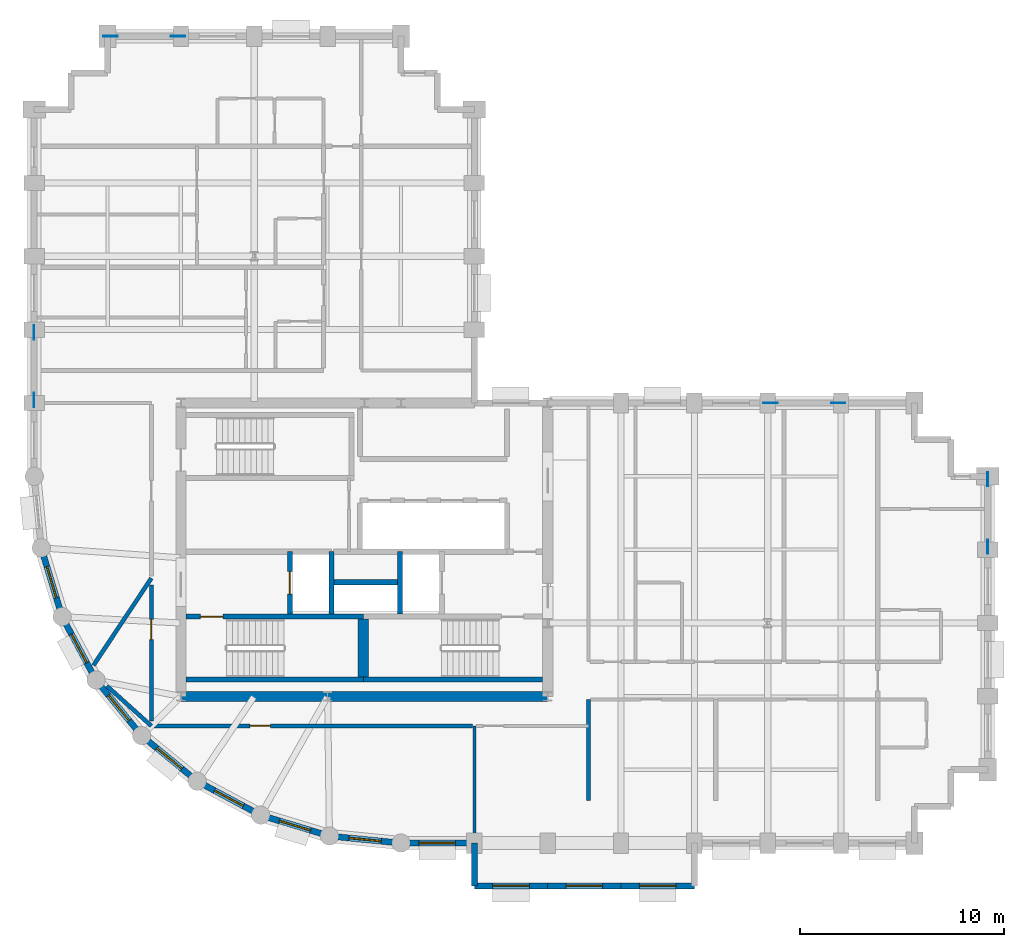
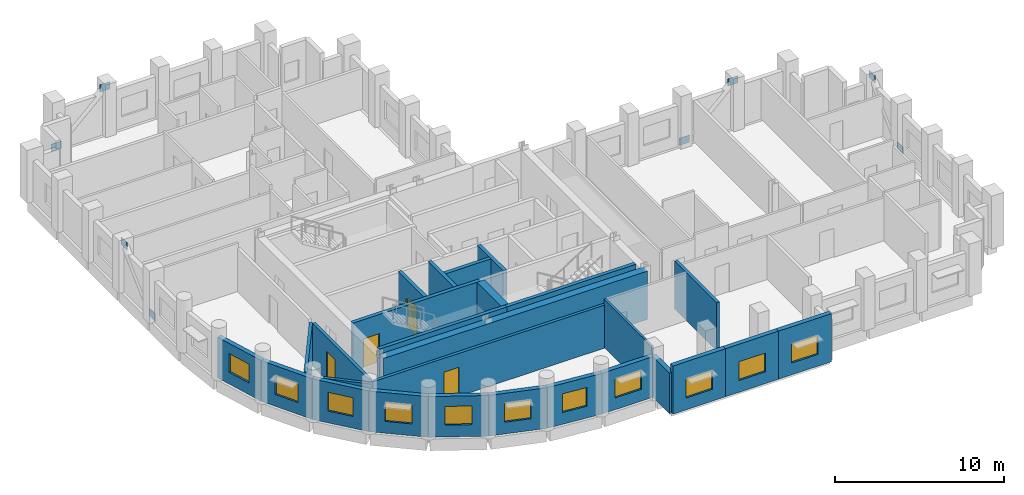
# One storey, part 3 of 11: 27 walls, 11 windows, 8 plates, 4 doors, 15 openings.
"""IFC4 building model written with IfcOpenShell, lengths in metres."""

import ifcopenshell
import ifcopenshell.guid

model = None  # the IFC model being written
_history = None  # IfcOwnerHistory: only IFC2X3 demands one
_inside = {}  # id of a spatial element -> (the spatial element, [elements in it])
_under = {}  # id of a project, library or spatial element -> (it, [spatial elements below it])
_declared = {}  # id of a project -> (the project, [libraries it declares])
_typed = {}  # id of a type object -> (the type object, [elements of that type])
_made_of = {}  # id of a material, layer set ... -> (it, [elements and type objects made of it])


def new_model(schema):
    """Start an empty IFC model of exactly this schema.

    Asked for "IFC4X3", IfcOpenShell would pick the latest addendum, in which some entities
    have other attributes; the version numbers below select the first issue.
    IFC2X3 requires an IfcOwnerHistory on every rooted entity: one is made here for all.
    """
    global model, _history
    if schema == "IFC4X3":
        model = ifcopenshell.file(schema_version=(4, 3, 0, 0))
    else:
        model = ifcopenshell.file(schema=schema)
    _inside.clear()
    _under.clear()
    _declared.clear()
    _typed.clear()
    _made_of.clear()
    _history = None
    if model.schema == "IFC2X3":
        org = make("IfcOrganization", Name="unknown")
        user = make(
            "IfcPersonAndOrganization",
            ThePerson=make("IfcPerson", FamilyName="unknown"),
            TheOrganization=org,
        )
        app = make(
            "IfcApplication",
            ApplicationDeveloper=org,
            Version="unknown",
            ApplicationFullName="unknown",
            ApplicationIdentifier="unknown",
        )
        _history = make(
            "IfcOwnerHistory",
            OwningUser=user,
            OwningApplication=app,
            ChangeAction="ADDED",
            CreationDate=0,
        )
    return model


def make(cls, **values):
    """One entity of the class cls with the attributes given. An attribute that is None is left unset."""
    return model.create_entity(
        cls, **{name: value for name, value in values.items() if value is not None}
    )


def rooted(cls, **values):
    """An entity with a GlobalId (a new one), such as an element, a storey or a relation."""
    return make(cls, GlobalId=ifcopenshell.guid.new(), OwnerHistory=_history, **values)


def si_unit(unit_type, name, prefix=None):
    """IfcSIUnit, for example si_unit("LENGTHUNIT", "METRE", prefix="MILLI")."""
    return make("IfcSIUnit", UnitType=unit_type, Prefix=prefix, Name=name)


def assignment(units):
    """IfcUnitAssignment: the units of a project."""
    return None if units is None else make("IfcUnitAssignment", Units=units)


def point(xyz):
    """IfcCartesianPoint."""
    return None if xyz is None else make("IfcCartesianPoint", Coordinates=xyz)


def direction(xyz):
    """IfcDirection."""
    return None if xyz is None else make("IfcDirection", DirectionRatios=xyz)


def frame(location, z_axis=None, x_axis=None):
    """IfcAxis2Placement3D, a coordinate frame: its origin and axes. An axis left out is left unset."""
    return make(
        "IfcAxis2Placement3D",
        Location=point(location),
        Axis=direction(z_axis),
        RefDirection=direction(x_axis),
    )


def frame_2d(location, x_axis=None):
    """IfcAxis2Placement2D, a coordinate frame in the plane: its origin and x axis."""
    return make(
        "IfcAxis2Placement2D", Location=point(location), RefDirection=direction(x_axis)
    )


def origin():
    """The frame at (0, 0, 0) with its axes left unset."""
    return frame((0.0, 0.0, 0.0))


def origin_2d():
    """The frame at (0, 0) in the plane with its x axis left unset."""
    return frame_2d((0.0, 0.0))


def place(relative_to, where):
    """IfcLocalPlacement: puts the frame where relative to a parent placement (None: the world)."""
    return make(
        "IfcLocalPlacement", PlacementRelTo=relative_to, RelativePlacement=where
    )


def context(
    kind, dimensions, precision=None, world=None, true_north=None, identifier=None
):
    """IfcGeometricRepresentationContext, for example the 3D "Model" context."""
    return make(
        "IfcGeometricRepresentationContext",
        ContextIdentifier=identifier,
        ContextType=kind,
        CoordinateSpaceDimension=dimensions,
        Precision=precision,
        WorldCoordinateSystem=world,
        TrueNorth=true_north,
    )


def subcontext(parent, identifier, kind, view, scale=None):
    """IfcGeometricRepresentationSubContext, for example "Body" below "Model"."""
    return make(
        "IfcGeometricRepresentationSubContext",
        ContextIdentifier=identifier,
        ContextType=kind,
        ParentContext=parent,
        TargetScale=scale,
        TargetView=view,
    )


def project(units=None, contexts=None):
    """IfcProject with its units and contexts."""
    return rooted(
        "IfcProject",
        Name="project",
        RepresentationContexts=contexts,
        UnitsInContext=assignment(units),
    )


def spatial(cls, under=None, at=None, **own):
    """A site, building, storey or space (cls), placed at a placement, below another one or the project."""
    s = rooted(cls, ObjectPlacement=at, **own)
    if under is not None:
        _under.setdefault(under.id(), (under, []))[1].append(s)
    return s


def profile(cls, at=None, kind="AREA", **sizes):
    """A parametric profile (cls). Its sizes go by their IFC names, for example OverallWidth=200.0."""
    return make(cls, ProfileType=kind, Position=at, **sizes)


def rectangle(**sizes):
    """IfcRectangleProfileDef."""
    return profile("IfcRectangleProfileDef", **sizes)


def extrude(swept, where, along, depth):
    """IfcExtrudedAreaSolid: the profile swept, set in the frame where, extruded along a direction by depth."""
    return make(
        "IfcExtrudedAreaSolid",
        SweptArea=swept,
        Position=where,
        ExtrudedDirection=direction(along),
        Depth=depth,
    )


def shape(context_of_items, identifier, shape_type, items):
    """IfcShapeRepresentation: the items that make up one representation, for example the "Body"."""
    return make(
        "IfcShapeRepresentation",
        ContextOfItems=context_of_items,
        RepresentationIdentifier=identifier,
        RepresentationType=shape_type,
        Items=items,
    )


def material(Name=None, Category=None):
    """IfcMaterial."""
    return make("IfcMaterial", Name=Name, Category=Category)


def layer(
    of_material, thickness, ventilated=None, Name=None, Category=None, Priority=None
):
    """IfcMaterialLayer: one layer of a wall or slab, of a material (None: an air gap)."""
    return make(
        "IfcMaterialLayer",
        Material=of_material,
        LayerThickness=thickness,
        IsVentilated=ventilated,
        Name=Name,
        Category=Category,
        Priority=Priority,
    )


def layer_set(layers, Name=None):
    """IfcMaterialLayerSet."""
    return make("IfcMaterialLayerSet", MaterialLayers=layers, LayerSetName=Name)


def made_of(thing, what):
    """Note that an element or type object is made of a material, layer set ...; save() writes the relation."""
    if what is not None:
        _made_of.setdefault(what.id(), (what, []))[1].append(thing)
    return thing


def type_object(cls, material=None, **own):
    """A type object (cls), such as IfcWallType, which elements share."""
    return made_of(rooted(cls, **own), material)


def element(
    cls,
    number,
    at=None,
    inside=None,
    cuts=None,
    type_object=None,
    material=None,
    context=None,
    identifier="Body",
    shape_type=None,
    held_by="IfcProductDefinitionShape",
    body=None,
    shapes=None,
    **own,
):
    """One element of the class cls, such as IfcWall. Its Tag is "e" and its number.

    at: its placement. inside: the storey or other place that contains it. cuts: it is an
    opening in that element (IfcRelVoidsElement). A single representation is given by context,
    identifier, shape_type and body (its items); several are given by shapes. held_by: the class
    of the entity that holds the representations. save() writes the other relations.
    """
    e = rooted(cls, Tag="e%d" % number, ObjectPlacement=at, **own)
    if body is not None:
        shapes = [shape(context, identifier, shape_type, body)]
    if shapes is not None:
        e.Representation = make(held_by, Representations=shapes)
    if inside is not None:
        _inside.setdefault(inside.id(), (inside, []))[1].append(e)
    if cuts is not None:
        rooted(
            "IfcRelVoidsElement", RelatingBuildingElement=cuts, RelatedOpeningElement=e
        )
    if type_object is not None:
        _typed.setdefault(type_object.id(), (type_object, []))[1].append(e)
    return made_of(e, material)


def fill(opening, filler):
    """IfcRelFillsElement: the door or window that sits in an opening."""
    return rooted(
        "IfcRelFillsElement",
        RelatingOpeningElement=opening,
        RelatedBuildingElement=filler,
    )


def aggregate(whole, parts):
    """IfcRelAggregates: a whole, such as a stair, and the parts it consists of."""
    return rooted("IfcRelAggregates", RelatingObject=whole, RelatedObjects=parts)


def save(model, path):
    """Write the relations noted so far, then the file.

    IfcRelAggregates (storeys below a building ...), IfcRelContainedInSpatialStructure (elements
    in a storey), IfcRelDefinesByType, IfcRelAssociatesMaterial and IfcRelDeclares: one each for
    every whole, place, type object, material and project.
    """
    for whole, parts in _under.values():
        aggregate(whole, parts)
    for where, things in _inside.values():
        rooted(
            "IfcRelContainedInSpatialStructure",
            RelatedElements=things,
            RelatingStructure=where,
        )
    for kind, things in _typed.values():
        rooted("IfcRelDefinesByType", RelatedObjects=things, RelatingType=kind)
    for what, things in _made_of.values():
        rooted("IfcRelAssociatesMaterial", RelatedObjects=things, RelatingMaterial=what)
    for by, libraries in _declared.values():
        rooted("IfcRelDeclares", RelatingContext=by, RelatedDefinitions=libraries)
    model.write(path)


model = new_model("IFC4")

# Units and contexts
model_context = context("Model", 3, precision=1e-05, world=origin(), true_north=direction((0.0, 1.0)))
body_context = subcontext(model_context, "Body", "Model", "MODEL_VIEW")
ifc_project = project(units=[si_unit("LENGTHUNIT", "METRE"), si_unit("AREAUNIT", "SQUARE_METRE"), si_unit("VOLUMEUNIT", "CUBIC_METRE"), si_unit("PLANEANGLEUNIT", "RADIAN"), si_unit("MASSUNIT", "GRAM", prefix="KILO")], contexts=[model_context])

# Site, building, storey
site_placement = place(None, origin())
site = spatial("IfcSite", under=ifc_project, at=site_placement, CompositionType="ELEMENT")
building_placement = place(site_placement, origin())
building = spatial("IfcBuilding", under=site, at=building_placement, Name="Solnavia Interchange Tower", CompositionType="ELEMENT")
storey_placement = place(building_placement, frame((0.0, 0.0, 165.60009765625)))
storey = spatial("IfcBuildingStorey", under=building, at=storey_placement, Name="L41", CompositionType="ELEMENT", Elevation=165.60009765625)

# Plates
ifc_material_1 = material(Name="Steel S460", Category="steel")
ifc_layer_1 = layer(ifc_material_1, 0.030029296875)
ifc_layer_set_1 = layer_set([ifc_layer_1], Name="Steel S460")
plate_type = type_object("IfcPlateType", Name="Plate-Gusset-700x520x30", PredefinedType="USERDEFINED", material=ifc_layer_set_1)
for number, where, z_axis, x_axis, name in (
    (1, (7.199951171875, 25.340087890625, -0.080078125), (0.0, 0.0, 1.0), (0.0, 1.0, 0.0), "PLT-L41-GP01 Perimeter brace gusset plate"),
    (2, (7.199951171875, 28.659912109375, 3.039794921875), (0.0, 0.0, 1.0), (0.0, 1.0, 0.0), "PLT-L41-GP02 Perimeter brace gusset plate"),
    (3, (54.0, 18.139892578125, -0.080078125), (0.0, 0.0, 1.0), (0.0, 1.0, 0.0), "PLT-L41-GP03 Perimeter brace gusset plate"),
    (4, (54.0, 21.4599609375, 3.039794921875), (0.0, 0.0, 1.0), (0.0, 1.0, 0.0), "PLT-L41-GP04 Perimeter brace gusset plate"),
    (5, (10.93994140625, 43.199951171875, -0.080078125), (0.0, 0.0, 1.0), (1.0, 0.0, 0.0), "PLT-L41-GP05 Perimeter brace gusset plate"),
    (6, (14.260009765625, 43.199951171875, 3.039794921875), (0.0, 0.0, 1.0), (1.0, 0.0, 0.0), "PLT-L41-GP06 Perimeter brace gusset plate"),
    (7, (43.340087890625, 25.199951171875, -0.080078125), (0.0, 0.0, 1.0), (1.0, 0.0, 0.0), "PLT-L41-GP07 Perimeter brace gusset plate"),
    (8, (46.659912109375, 25.199951171875, 3.039794921875), (0.0, 0.0, 1.0), (1.0, 0.0, 0.0), "PLT-L41-GP08 Perimeter brace gusset plate"),
):
    element("IfcPlate", number, at=place(storey_placement, frame(where, z_axis=z_axis, x_axis=x_axis)), inside=storey, type_object=plate_type, Name=name, ObjectType="GUSSET PLATE", PredefinedType="USERDEFINED", context=body_context, shape_type="SweptSolid", body=[
        extrude(rectangle(XDim=0.699951171875, YDim=0.030029296875, at=origin_2d()), origin(), (0.0, 0.0, 1.0), 0.52001953125),
    ])

# Walls
ifc_material_2 = material(Name="Gypsum Acoustic Twin-Stud & Mineral Wool", Category="gypsum")
ifc_layer_2 = layer(ifc_material_2, 0.199951171875)
ifc_layer_set_2 = layer_set([ifc_layer_2], Name="Gypsum Acoustic Twin-Stud & Mineral Wool")
wall_type_1 = type_object("IfcWallType", Name="Wall-ApartmentParty-200", PredefinedType="PARTITIONING", material=ifc_layer_set_2)
wall_1_placement = place(storey_placement, frame((12.949951171875, 9.35009765625, 0.0), z_axis=(0.0, 0.0, 1.0), x_axis=(-0.743629108244, 0.66859236413, 0.0)))
element("IfcWall", 9, at=wall_1_placement, inside=storey, type_object=wall_type_1, Name="PTW-L41-09 Interior partition wall", PredefinedType="PARTITIONING", context=body_context, shape_type="SweptSolid", body=[
    extrude(rectangle(XDim=2.934814453125, YDim=0.199951171875, at=frame_2d((1.46728515625, 0.0))), origin(), (0.0, 0.0, 1.0), 2.929931640625),
])
wall_2_placement = place(storey_placement, frame((12.949951171875, 16.60009765625, 0.0), z_axis=(0.0, 0.0, 1.0), x_axis=(-0.553273174501, -0.832999876577, 0.0)))
element("IfcWall", 10, at=wall_2_placement, inside=storey, type_object=wall_type_1, Name="PTW-L41-10 Interior partition wall", PredefinedType="PARTITIONING", context=body_context, shape_type="SweptSolid", body=[
    extrude(rectangle(XDim=5.135498046875, YDim=0.199951171875, at=frame_2d((2.56787109375, 0.0))), origin(), (0.0, 0.0, 1.0), 2.929931640625),
])

# Wall, opening, door
wall_3_placement = place(storey_placement, frame((12.949951171875, 9.592041015625, 0.0), z_axis=(0.0, 0.0, 1.0), x_axis=(0.0, 1.0, 0.0)))
wall_3 = element("IfcWall", 11, at=wall_3_placement, inside=storey, type_object=wall_type_1, Name="PTW-L41-12 Interior partition wall", PredefinedType="PARTITIONING", context=body_context, shape_type="SweptSolid", body=[
    extrude(rectangle(XDim=6.6826171875, YDim=0.199951171875, at=frame_2d((3.34130859375, 0.0))), origin(), (0.0, 0.0, 1.0), 3.099853515625),
])
opening_1_placement = place(wall_3_placement, frame((3.989013671875, 0.0, 0.0)))
opening_1 = element("IfcOpeningElement", 12, at=opening_1_placement, cuts=wall_3, Name="Opening DR-07", PredefinedType="OPENING", context=body_context, shape_type="SweptSolid", body=[
    extrude(rectangle(XDim=1.0, YDim=2.10009765625, at=frame_2d((0.5, 1.050048828125))), frame((0.0, 0.10986328125, 0.0), z_axis=(0.0, -1.0, 0.0), x_axis=(1.0, 0.0, 0.0)), (0.0, 0.0, 1.0), 0.219970703125),
])
ifc_material_3 = material(Name="Timber & Acoustic Glazed Office Door", Category="wood")
door_type_1 = type_object("IfcDoorType", Name="Door-Office-1000x2100", OperationType="SINGLE_SWING_RIGHT", PredefinedType="DOOR", material=ifc_material_3)
door_1_placement = place(opening_1_placement, origin())
door_1 = element("IfcDoor", 13, at=door_1_placement, inside=storey, type_object=door_type_1, Name="DR-L41-04 Interior room door", OperationType="SINGLE_SWING_RIGHT", OverallHeight=2.10009765625, OverallWidth=1.0, PredefinedType="DOOR", context=body_context, shape_type="SweptSolid", body=[
    extrude(rectangle(XDim=1.0, YDim=2.10009765625, at=frame_2d((0.5, 1.050048828125))), frame((0.0, 0.02490234375, 0.0), z_axis=(0.0, -1.0, 0.0), x_axis=(1.0, 0.0, 0.0)), (0.0, 0.0, 1.0), 0.050048828125),
])
fill(opening_1, door_1)

wall_4_placement = place(storey_placement, frame((12.949951171875, 9.35009765625, 0.0), z_axis=(0.0, 0.0, 1.0), x_axis=(1.0, 0.0, 0.0)))
wall_4 = element("IfcWall", 14, at=wall_4_placement, inside=storey, type_object=wall_type_1, Name="PTW-L41-13 Interior partition wall", PredefinedType="PARTITIONING", context=body_context, shape_type="SweptSolid", body=[
    extrude(rectangle(XDim=15.77099609375, YDim=0.199951171875, at=frame_2d((7.885498046875, 0.0))), origin(), (0.0, 0.0, 1.0), 3.099853515625),
])
opening_2_placement = place(wall_4_placement, frame((4.8359375, 0.0, 0.0)))
opening_2 = element("IfcOpeningElement", 15, at=opening_2_placement, cuts=wall_4, Name="Opening DR-07", PredefinedType="OPENING", context=body_context, shape_type="SweptSolid", body=[
    extrude(rectangle(XDim=1.0, YDim=2.10009765625, at=frame_2d((0.5, 1.050048828125))), frame((0.0, 0.10986328125, 0.0), z_axis=(0.0, -1.0, 0.0), x_axis=(1.0, 0.0, 0.0)), (0.0, 0.0, 1.0), 0.219970703125),
])
door_2_placement = place(opening_2_placement, origin())
door_2 = element("IfcDoor", 16, at=door_2_placement, inside=storey, type_object=door_type_1, Name="DR-L41-05 Interior room door", OperationType="SINGLE_SWING_LEFT", OverallHeight=2.10009765625, OverallWidth=1.0, PredefinedType="DOOR", context=body_context, shape_type="SweptSolid", body=[
    extrude(rectangle(XDim=1.0, YDim=2.10009765625, at=frame_2d((0.5, 1.050048828125))), frame((0.0, 0.02490234375, 0.0), z_axis=(0.0, -1.0, 0.0), x_axis=(1.0, 0.0, 0.0)), (0.0, 0.0, 1.0), 0.050048828125),
])
fill(opening_2, door_2)

# Wall
wall_5_placement = place(storey_placement, frame((34.39990234375, 5.699951171875, 0.0), z_axis=(0.0, 0.0, 1.0), x_axis=(0.0, 1.0, 0.0)))
element("IfcWall", 17, at=wall_5_placement, inside=storey, type_object=wall_type_1, Name="PTW-L41-15 Interior partition wall", PredefinedType="PARTITIONING", context=body_context, shape_type="SweptSolid", body=[
    extrude(rectangle(XDim=4.949951171875, YDim=0.199951171875, at=frame_2d((2.47509765625, 0.0))), origin(), (0.0, 0.0, 1.0), 3.46484375),
])

# Wall, opening, window
ifc_material_4 = material(Name="Concrete C40/50", Category="concrete")
ifc_layer_3 = layer(ifc_material_4, 0.300048828125)
ifc_layer_set_3 = layer_set([ifc_layer_3], Name="Concrete C40/50")
wall_type_2 = type_object("IfcWallType", Name="Wall-ExtSpandrel-300", PredefinedType="STANDARD", material=ifc_layer_set_3)
wall_6_placement = place(storey_placement, frame((28.800048828125, 3.60009765625, 0.0), z_axis=(0.0, 0.0, 1.0), x_axis=(-1.0, 0.0, 0.0)))
wall_6 = element("IfcWall", 18, at=wall_6_placement, inside=storey, type_object=wall_type_2, Name="EXW-L41-01 Exterior precast spandrel wall", PredefinedType="STANDARD", context=body_context, shape_type="SweptSolid", body=[
    extrude(rectangle(XDim=3.60009765625, YDim=0.300048828125, at=frame_2d((1.800048828125, 0.0))), origin(), (0.0, 0.0, 1.0), 2.929931640625),
])
opening_3_placement = place(wall_6_placement, frame((0.925048828125, 0.0, 0.85009765625)))
opening_3 = element("IfcOpeningElement", 19, at=opening_3_placement, cuts=wall_6, Name="Opening WIN-02", PredefinedType="OPENING", context=body_context, shape_type="SweptSolid", body=[
    extrude(rectangle(XDim=1.800048828125, YDim=1.35009765625, at=frame_2d((0.89990234375, 0.675048828125))), frame((0.0, 0.16015625, 0.0), z_axis=(0.0, -1.0, 0.0), x_axis=(1.0, 0.0, 0.0)), (0.0, 0.0, 1.0), 0.320068359375),
])
ifc_material_5 = material(Name="Thermal-Break Aluminium & Low-E Glass", Category="aluminium")
window_type_1 = type_object("IfcWindowType", Name="Window-Ribbon-1800x1350", PartitioningType="SINGLE_PANEL", PredefinedType="WINDOW", material=ifc_material_5)
window_1_placement = place(opening_3_placement, origin())
window_1 = element("IfcWindow", 20, at=window_1_placement, inside=storey, type_object=window_type_1, Name="WIN-L41-01 Facade ribbon window", OverallHeight=1.35009765625, OverallWidth=1.800048828125, PartitioningType="SINGLE_PANEL", PredefinedType="WINDOW", context=body_context, shape_type="SweptSolid", body=[
    extrude(rectangle(XDim=1.800048828125, YDim=1.35009765625, at=frame_2d((0.89990234375, 0.675048828125))), frame((0.0, 0.030029296875, 0.0), z_axis=(0.0, -1.0, 0.0), x_axis=(1.0, 0.0, 0.0)), (0.0, 0.0, 1.0), 0.06005859375),
])
fill(opening_3, window_1)

# Wall
wall_7_placement = place(storey_placement, frame((28.800048828125, 3.60009765625, 0.0), z_axis=(0.0, 0.0, 1.0), x_axis=(0.0, -1.0, 0.0)))
element("IfcWall", 21, at=wall_7_placement, inside=storey, type_object=wall_type_2, Name="EXW-L41-02 Exterior precast spandrel wall", PredefinedType="STANDARD", context=body_context, shape_type="SweptSolid", body=[
    extrude(rectangle(XDim=2.10009765625, YDim=0.300048828125, at=frame_2d((1.050048828125, 0.0))), origin(), (0.0, 0.0, 1.0), 2.929931640625),
])

# Wall, opening, window
wall_8_placement = place(storey_placement, frame((32.39990234375, 1.5, 0.0), z_axis=(0.0, 0.0, 1.0), x_axis=(-1.0, 0.0, 0.0)))
wall_8 = element("IfcWall", 22, at=wall_8_placement, inside=storey, type_object=wall_type_2, Name="EXW-L41-03 Exterior precast spandrel wall", PredefinedType="STANDARD", context=body_context, shape_type="SweptSolid", body=[
    extrude(rectangle(XDim=3.599853515625, YDim=0.300048828125, at=frame_2d((1.7998046875, 0.0))), origin(), (0.0, 0.0, 1.0), 3.46484375),
])
opening_4_placement = place(wall_8_placement, frame((0.89990234375, 0.0, 0.85009765625)))
opening_4 = element("IfcOpeningElement", 23, at=opening_4_placement, cuts=wall_8, Name="Opening WIN-02", PredefinedType="OPENING", context=body_context, shape_type="SweptSolid", body=[
    extrude(rectangle(XDim=1.800048828125, YDim=1.35009765625, at=frame_2d((0.89990234375, 0.675048828125))), frame((0.0, 0.16015625, 0.0), z_axis=(0.0, -1.0, 0.0), x_axis=(1.0, 0.0, 0.0)), (0.0, 0.0, 1.0), 0.320068359375),
])
window_2_placement = place(opening_4_placement, origin())
window_2 = element("IfcWindow", 24, at=window_2_placement, inside=storey, type_object=window_type_1, Name="WIN-L41-03 Facade ribbon window", OverallHeight=1.35009765625, OverallWidth=1.800048828125, PartitioningType="SINGLE_PANEL", PredefinedType="WINDOW", context=body_context, shape_type="SweptSolid", body=[
    extrude(rectangle(XDim=1.800048828125, YDim=1.35009765625, at=frame_2d((0.89990234375, 0.675048828125))), frame((0.0, 0.030029296875, 0.0), z_axis=(0.0, -1.0, 0.0), x_axis=(1.0, 0.0, 0.0)), (0.0, 0.0, 1.0), 0.06005859375),
])
fill(opening_4, window_2)

wall_9_placement = place(storey_placement, frame((36.0, 1.5, 0.0), z_axis=(0.0, 0.0, 1.0), x_axis=(-1.0, 0.0, 0.0)))
wall_9 = element("IfcWall", 25, at=wall_9_placement, inside=storey, type_object=wall_type_2, Name="EXW-L41-04 Exterior precast spandrel wall", PredefinedType="STANDARD", context=body_context, shape_type="SweptSolid", body=[
    extrude(rectangle(XDim=3.60009765625, YDim=0.300048828125, at=frame_2d((1.800048828125, 0.0))), origin(), (0.0, 0.0, 1.0), 3.46484375),
])
opening_5_placement = place(wall_9_placement, frame((0.89990234375, 0.0, 0.85009765625)))
opening_5 = element("IfcOpeningElement", 26, at=opening_5_placement, cuts=wall_9, Name="Opening WIN-02", PredefinedType="OPENING", context=body_context, shape_type="SweptSolid", body=[
    extrude(rectangle(XDim=1.800048828125, YDim=1.35009765625, at=frame_2d((0.89990234375, 0.675048828125))), frame((0.0, 0.16015625, 0.0), z_axis=(0.0, -1.0, 0.0), x_axis=(1.0, 0.0, 0.0)), (0.0, 0.0, 1.0), 0.320068359375),
])
window_3_placement = place(opening_5_placement, origin())
window_3 = element("IfcWindow", 27, at=window_3_placement, inside=storey, type_object=window_type_1, Name="WIN-L41-04 Facade ribbon window", OverallHeight=1.35009765625, OverallWidth=1.800048828125, PartitioningType="SINGLE_PANEL", PredefinedType="WINDOW", context=body_context, shape_type="SweptSolid", body=[
    extrude(rectangle(XDim=1.800048828125, YDim=1.35009765625, at=frame_2d((0.89990234375, 0.675048828125))), frame((0.0, 0.030029296875, 0.0), z_axis=(0.0, -1.0, 0.0), x_axis=(1.0, 0.0, 0.0)), (0.0, 0.0, 1.0), 0.06005859375),
])
fill(opening_5, window_3)

wall_10_placement = place(storey_placement, frame((39.60009765625, 1.5, 0.0), z_axis=(0.0, 0.0, 1.0), x_axis=(-1.0, 0.0, 0.0)))
wall_10 = element("IfcWall", 28, at=wall_10_placement, inside=storey, type_object=wall_type_2, Name="EXW-L41-05 Exterior precast spandrel wall", PredefinedType="STANDARD", context=body_context, shape_type="SweptSolid", body=[
    extrude(rectangle(XDim=3.60009765625, YDim=0.300048828125, at=frame_2d((1.800048828125, 0.0))), origin(), (0.0, 0.0, 1.0), 3.46484375),
])
opening_6_placement = place(wall_10_placement, frame((0.89990234375, 0.0, 0.85009765625)))
opening_6 = element("IfcOpeningElement", 29, at=opening_6_placement, cuts=wall_10, Name="Opening WIN-02", PredefinedType="OPENING", context=body_context, shape_type="SweptSolid", body=[
    extrude(rectangle(XDim=1.800048828125, YDim=1.35009765625, at=frame_2d((0.89990234375, 0.675048828125))), frame((0.0, 0.16015625, 0.0), z_axis=(0.0, -1.0, 0.0), x_axis=(1.0, 0.0, 0.0)), (0.0, 0.0, 1.0), 0.320068359375),
])
window_4_placement = place(opening_6_placement, origin())
window_4 = element("IfcWindow", 30, at=window_4_placement, inside=storey, type_object=window_type_1, Name="WIN-L41-05 Facade ribbon window", OverallHeight=1.35009765625, OverallWidth=1.800048828125, PartitioningType="SINGLE_PANEL", PredefinedType="WINDOW", context=body_context, shape_type="SweptSolid", body=[
    extrude(rectangle(XDim=1.800048828125, YDim=1.35009765625, at=frame_2d((0.89990234375, 0.675048828125))), frame((0.0, 0.030029296875, 0.0), z_axis=(0.0, -1.0, 0.0), x_axis=(1.0, 0.0, 0.0)), (0.0, 0.0, 1.0), 0.06005859375),
])
fill(opening_6, window_4)

wall_11_placement = place(storey_placement, frame((8.570068359375, 14.7119140625, 0.0), z_axis=(0.0, 0.0, 1.0), x_axis=(-0.290305086481, 0.956934144423, 0.0)))
wall_11 = element("IfcWall", 31, at=wall_11_placement, inside=storey, type_object=wall_type_2, Name="EXW-L41-50 Exterior precast spandrel wall", PredefinedType="STANDARD", context=body_context, shape_type="SweptSolid", body=[
    extrude(rectangle(XDim=3.52783203125, YDim=0.300048828125, at=frame_2d((1.763916015625, 0.0))), origin(), (0.0, 0.0, 1.0), 2.929931640625),
])
opening_7_placement = place(wall_11_placement, frame((0.964111328125, 0.0, 0.85009765625)))
opening_7 = element("IfcOpeningElement", 32, at=opening_7_placement, cuts=wall_11, Name="Opening WIN-04", PredefinedType="OPENING", context=body_context, shape_type="SweptSolid", body=[
    extrude(rectangle(XDim=1.60009765625, YDim=1.35009765625, at=frame_2d((0.800048828125, 0.675048828125))), frame((0.0, 0.16015625, 0.0), z_axis=(0.0, -1.0, 0.0), x_axis=(1.0, 0.0, 0.0)), (0.0, 0.0, 1.0), 0.320068359375),
])
window_type_2 = type_object("IfcWindowType", Name="Window-Drum-1600x1350", PartitioningType="SINGLE_PANEL", PredefinedType="WINDOW", material=ifc_material_5)
window_5_placement = place(opening_7_placement, origin())
window_5 = element("IfcWindow", 33, at=window_5_placement, inside=storey, type_object=window_type_2, Name="WIN-L41-50 Facade ribbon window", OverallHeight=1.35009765625, OverallWidth=1.60009765625, PartitioningType="SINGLE_PANEL", PredefinedType="WINDOW", context=body_context, shape_type="SweptSolid", body=[
    extrude(rectangle(XDim=1.60009765625, YDim=1.35009765625, at=frame_2d((0.800048828125, 0.675048828125))), frame((0.0, 0.030029296875, 0.0), z_axis=(0.0, -1.0, 0.0), x_axis=(1.0, 0.0, 0.0)), (0.0, 0.0, 1.0), 0.06005859375),
])
fill(opening_7, window_5)

wall_12_placement = place(storey_placement, frame((10.23388671875, 11.60009765625, 0.0), z_axis=(0.0, 0.0, 1.0), x_axis=(-0.47151087309, 0.881860247748, 0.0)))
wall_12 = element("IfcWall", 34, at=wall_12_placement, inside=storey, type_object=wall_type_2, Name="EXW-L41-51 Exterior precast spandrel wall", PredefinedType="STANDARD", context=body_context, shape_type="SweptSolid", body=[
    extrude(rectangle(XDim=3.52880859375, YDim=0.300048828125, at=frame_2d((1.764404296875, 0.0))), origin(), (0.0, 0.0, 1.0), 2.929931640625),
])
opening_8_placement = place(wall_12_placement, frame((0.964111328125, 0.0, 0.85009765625)))
opening_8 = element("IfcOpeningElement", 35, at=opening_8_placement, cuts=wall_12, Name="Opening WIN-04", PredefinedType="OPENING", context=body_context, shape_type="SweptSolid", body=[
    extrude(rectangle(XDim=1.60009765625, YDim=1.35009765625, at=frame_2d((0.800048828125, 0.675048828125))), frame((0.0, 0.16015625, 0.0), z_axis=(0.0, -1.0, 0.0), x_axis=(1.0, 0.0, 0.0)), (0.0, 0.0, 1.0), 0.320068359375),
])
window_6_placement = place(opening_8_placement, origin())
window_6 = element("IfcWindow", 36, at=window_6_placement, inside=storey, type_object=window_type_2, Name="WIN-L41-51 Facade ribbon window", OverallHeight=1.35009765625, OverallWidth=1.60009765625, PartitioningType="SINGLE_PANEL", PredefinedType="WINDOW", context=body_context, shape_type="SweptSolid", body=[
    extrude(rectangle(XDim=1.60009765625, YDim=1.35009765625, at=frame_2d((0.800048828125, 0.675048828125))), frame((0.0, 0.030029296875, 0.0), z_axis=(0.0, -1.0, 0.0), x_axis=(1.0, 0.0, 0.0)), (0.0, 0.0, 1.0), 0.06005859375),
])
fill(opening_8, window_6)

wall_13_placement = place(storey_placement, frame((12.471923828125, 8.8720703125, 0.0), z_axis=(0.0, 0.0, 1.0), x_axis=(-0.634258295121, 0.773121216285, 0.0)))
wall_13 = element("IfcWall", 37, at=wall_13_placement, inside=storey, type_object=wall_type_2, Name="EXW-L41-52 Exterior precast spandrel wall", PredefinedType="STANDARD", context=body_context, shape_type="SweptSolid", body=[
    extrude(rectangle(XDim=3.528564453125, YDim=0.300048828125, at=frame_2d((1.76416015625, 0.0))), origin(), (0.0, 0.0, 1.0), 2.929931640625),
])
opening_9_placement = place(wall_13_placement, frame((0.964111328125, 0.0, 0.85009765625)))
opening_9 = element("IfcOpeningElement", 38, at=opening_9_placement, cuts=wall_13, Name="Opening WIN-04", PredefinedType="OPENING", context=body_context, shape_type="SweptSolid", body=[
    extrude(rectangle(XDim=1.60009765625, YDim=1.35009765625, at=frame_2d((0.800048828125, 0.675048828125))), frame((0.0, 0.16015625, 0.0), z_axis=(0.0, -1.0, 0.0), x_axis=(1.0, 0.0, 0.0)), (0.0, 0.0, 1.0), 0.320068359375),
])
window_7_placement = place(opening_9_placement, origin())
window_7 = element("IfcWindow", 39, at=window_7_placement, inside=storey, type_object=window_type_2, Name="WIN-L41-52 Facade ribbon window", OverallHeight=1.35009765625, OverallWidth=1.60009765625, PartitioningType="SINGLE_PANEL", PredefinedType="WINDOW", context=body_context, shape_type="SweptSolid", body=[
    extrude(rectangle(XDim=1.60009765625, YDim=1.35009765625, at=frame_2d((0.800048828125, 0.675048828125))), frame((0.0, 0.030029296875, 0.0), z_axis=(0.0, -1.0, 0.0), x_axis=(1.0, 0.0, 0.0)), (0.0, 0.0, 1.0), 0.06005859375),
])
fill(opening_9, window_7)

wall_14_placement = place(storey_placement, frame((15.199951171875, 6.634033203125, 0.0), z_axis=(0.0, 0.0, 1.0), x_axis=(-0.773121216285, 0.634258295121, 0.0)))
wall_14 = element("IfcWall", 40, at=wall_14_placement, inside=storey, type_object=wall_type_2, Name="EXW-L41-53 Exterior precast spandrel wall", PredefinedType="STANDARD", context=body_context, shape_type="SweptSolid", body=[
    extrude(rectangle(XDim=3.528564453125, YDim=0.300048828125, at=frame_2d((1.76416015625, 0.0))), origin(), (0.0, 0.0, 1.0), 2.929931640625),
])
opening_10_placement = place(wall_14_placement, frame((0.964111328125, 0.0, 0.85009765625)))
opening_10 = element("IfcOpeningElement", 41, at=opening_10_placement, cuts=wall_14, Name="Opening WIN-04", PredefinedType="OPENING", context=body_context, shape_type="SweptSolid", body=[
    extrude(rectangle(XDim=1.60009765625, YDim=1.35009765625, at=frame_2d((0.800048828125, 0.675048828125))), frame((0.0, 0.16015625, 0.0), z_axis=(0.0, -1.0, 0.0), x_axis=(1.0, 0.0, 0.0)), (0.0, 0.0, 1.0), 0.320068359375),
])
window_8_placement = place(opening_10_placement, origin())
window_8 = element("IfcWindow", 42, at=window_8_placement, inside=storey, type_object=window_type_2, Name="WIN-L41-53 Facade ribbon window", OverallHeight=1.35009765625, OverallWidth=1.60009765625, PartitioningType="SINGLE_PANEL", PredefinedType="WINDOW", context=body_context, shape_type="SweptSolid", body=[
    extrude(rectangle(XDim=1.60009765625, YDim=1.35009765625, at=frame_2d((0.800048828125, 0.675048828125))), frame((0.0, 0.030029296875, 0.0), z_axis=(0.0, -1.0, 0.0), x_axis=(1.0, 0.0, 0.0)), (0.0, 0.0, 1.0), 0.06005859375),
])
fill(opening_10, window_8)

wall_15_placement = place(storey_placement, frame((18.31201171875, 4.969970703125, 0.0), z_axis=(0.0, 0.0, 1.0), x_axis=(-0.881846862014, 0.471535907389, 0.0)))
wall_15 = element("IfcWall", 43, at=wall_15_placement, inside=storey, type_object=wall_type_2, Name="EXW-L41-54 Exterior precast spandrel wall", PredefinedType="STANDARD", context=body_context, shape_type="SweptSolid", body=[
    extrude(rectangle(XDim=3.529052734375, YDim=0.300048828125, at=frame_2d((1.7646484375, 0.0))), origin(), (0.0, 0.0, 1.0), 2.929931640625),
])
opening_11_placement = place(wall_15_placement, frame((0.964111328125, 0.0, 0.85009765625)))
opening_11 = element("IfcOpeningElement", 44, at=opening_11_placement, cuts=wall_15, Name="Opening WIN-04", PredefinedType="OPENING", context=body_context, shape_type="SweptSolid", body=[
    extrude(rectangle(XDim=1.60009765625, YDim=1.35009765625, at=frame_2d((0.800048828125, 0.675048828125))), frame((0.0, 0.16015625, 0.0), z_axis=(0.0, -1.0, 0.0), x_axis=(1.0, 0.0, 0.0)), (0.0, 0.0, 1.0), 0.320068359375),
])
window_9_placement = place(opening_11_placement, origin())
window_9 = element("IfcWindow", 45, at=window_9_placement, inside=storey, type_object=window_type_2, Name="WIN-L41-54 Facade ribbon window", OverallHeight=1.35009765625, OverallWidth=1.60009765625, PartitioningType="SINGLE_PANEL", PredefinedType="WINDOW", context=body_context, shape_type="SweptSolid", body=[
    extrude(rectangle(XDim=1.60009765625, YDim=1.35009765625, at=frame_2d((0.800048828125, 0.675048828125))), frame((0.0, 0.030029296875, 0.0), z_axis=(0.0, -1.0, 0.0), x_axis=(1.0, 0.0, 0.0)), (0.0, 0.0, 1.0), 0.06005859375),
])
fill(opening_11, window_9)

wall_16_placement = place(storey_placement, frame((21.68798828125, 3.946044921875, 0.0), z_axis=(0.0, 0.0, 1.0), x_axis=(-0.956953367403, 0.290241714123, 0.0)))
wall_16 = element("IfcWall", 46, at=wall_16_placement, inside=storey, type_object=wall_type_2, Name="EXW-L41-55 Exterior precast spandrel wall", PredefinedType="STANDARD", context=body_context, shape_type="SweptSolid", body=[
    extrude(rectangle(XDim=3.52783203125, YDim=0.300048828125, at=frame_2d((1.763916015625, 0.0))), origin(), (0.0, 0.0, 1.0), 2.929931640625),
])
opening_12_placement = place(wall_16_placement, frame((0.964111328125, 0.0, 0.85009765625)))
opening_12 = element("IfcOpeningElement", 47, at=opening_12_placement, cuts=wall_16, Name="Opening WIN-04", PredefinedType="OPENING", context=body_context, shape_type="SweptSolid", body=[
    extrude(rectangle(XDim=1.60009765625, YDim=1.35009765625, at=frame_2d((0.800048828125, 0.675048828125))), frame((0.0, 0.16015625, 0.0), z_axis=(0.0, -1.0, 0.0), x_axis=(1.0, 0.0, 0.0)), (0.0, 0.0, 1.0), 0.320068359375),
])
window_10_placement = place(opening_12_placement, origin())
window_10 = element("IfcWindow", 48, at=window_10_placement, inside=storey, type_object=window_type_2, Name="WIN-L41-55 Facade ribbon window", OverallHeight=1.35009765625, OverallWidth=1.60009765625, PartitioningType="SINGLE_PANEL", PredefinedType="WINDOW", context=body_context, shape_type="SweptSolid", body=[
    extrude(rectangle(XDim=1.60009765625, YDim=1.35009765625, at=frame_2d((0.800048828125, 0.675048828125))), frame((0.0, 0.030029296875, 0.0), z_axis=(0.0, -1.0, 0.0), x_axis=(1.0, 0.0, 0.0)), (0.0, 0.0, 1.0), 0.06005859375),
])
fill(opening_12, window_10)

wall_17_placement = place(storey_placement, frame((25.199951171875, 3.60009765625, 0.0), z_axis=(0.0, 0.0, 1.0), x_axis=(-0.995183369056, 0.098030923459, 0.0)))
wall_17 = element("IfcWall", 49, at=wall_17_placement, inside=storey, type_object=wall_type_2, Name="EXW-L41-56 Exterior precast spandrel wall", PredefinedType="STANDARD", context=body_context, shape_type="SweptSolid", body=[
    extrude(rectangle(XDim=3.529052734375, YDim=0.300048828125, at=frame_2d((1.7646484375, 0.0))), origin(), (0.0, 0.0, 1.0), 2.929931640625),
])
opening_13_placement = place(wall_17_placement, frame((0.965087890625, 0.0, 0.85009765625)))
opening_13 = element("IfcOpeningElement", 50, at=opening_13_placement, cuts=wall_17, Name="Opening WIN-04", PredefinedType="OPENING", context=body_context, shape_type="SweptSolid", body=[
    extrude(rectangle(XDim=1.60009765625, YDim=1.35009765625, at=frame_2d((0.800048828125, 0.675048828125))), frame((0.0, 0.16015625, 0.0), z_axis=(0.0, -1.0, 0.0), x_axis=(1.0, 0.0, 0.0)), (0.0, 0.0, 1.0), 0.320068359375),
])
window_11_placement = place(opening_13_placement, origin())
window_11 = element("IfcWindow", 51, at=window_11_placement, inside=storey, type_object=window_type_2, Name="WIN-L41-56 Facade ribbon window", OverallHeight=1.35009765625, OverallWidth=1.60009765625, PartitioningType="SINGLE_PANEL", PredefinedType="WINDOW", context=body_context, shape_type="SweptSolid", body=[
    extrude(rectangle(XDim=1.60009765625, YDim=1.35009765625, at=frame_2d((0.800048828125, 0.675048828125))), frame((0.0, 0.030029296875, 0.0), z_axis=(0.0, -1.0, 0.0), x_axis=(1.0, 0.0, 0.0)), (0.0, 0.0, 1.0), 0.06005859375),
])
fill(opening_13, window_11)

# Walls
ifc_material_6 = material(Name="Gypsum Plasterboard & Steel Stud", Category="steel")
ifc_layer_4 = layer(ifc_material_6, 0.14990234375)
ifc_layer_set_4 = layer_set([ifc_layer_4], Name="Gypsum Plasterboard & Steel Stud")
wall_type_3 = type_object("IfcWallType", Name="Wall-Partition-150", PredefinedType="PARTITIONING", material=ifc_layer_set_4)
wall_18_placement = place(storey_placement, frame((28.800048828125, 9.35009765625, 0.0), z_axis=(0.0, 0.0, 1.0), x_axis=(0.0, -1.0, 0.0)))
element("IfcWall", 52, at=wall_18_placement, inside=storey, type_object=wall_type_3, Name="PTW-L41-08 Interior partition wall", PredefinedType="PARTITIONING", context=body_context, shape_type="SweptSolid", body=[
    extrude(rectangle(XDim=5.59619140625, YDim=0.14990234375, at=frame_2d((2.798095703125, 0.0))), origin(), (0.0, 0.0, 1.0), 3.46484375),
])
ifc_layer_5 = layer(ifc_material_4, 0.25)
ifc_layer_set_5 = layer_set([ifc_layer_5], Name="Concrete C40/50")
wall_type_4 = type_object("IfcWallType", Name="Wall-ShaftCore-250", PredefinedType="SHEAR", material=ifc_layer_set_5)
wall_19_placement = place(storey_placement, frame((14.64990234375, 11.625, 0.0), z_axis=(0.0, 0.0, 1.0), x_axis=(1.0, 0.0, 0.0)))
element("IfcWall", 53, at=wall_19_placement, inside=storey, type_object=wall_type_4, Name="SHW-L41-ST1S Core shear wall", PredefinedType="SHEAR", context=body_context, shape_type="SweptSolid", body=[
    extrude(rectangle(XDim=8.7001953125, YDim=0.25, at=frame_2d((4.35009765625, 0.0))), origin(), (0.0, 0.0, 1.0), 3.47998046875),
])

# Wall, opening, door
wall_20_placement = place(storey_placement, frame((14.64990234375, 14.715087890625, 0.0), z_axis=(0.0, 0.0, 1.0), x_axis=(1.0, 0.0, 0.0)))
wall_20 = element("IfcWall", 54, at=wall_20_placement, inside=storey, type_object=wall_type_4, Name="SHW-L41-ST1N Core shear wall", PredefinedType="SHEAR", context=body_context, shape_type="SweptSolid", body=[
    extrude(rectangle(XDim=8.7001953125, YDim=0.25, at=frame_2d((4.35009765625, 0.0))), origin(), (0.0, 0.0, 1.0), 3.47998046875),
])
opening_14_placement = place(wall_20_placement, frame((0.705078125, 0.0, 0.0)))
opening_14 = element("IfcOpeningElement", 55, at=opening_14_placement, cuts=wall_20, Name="Opening DR-01", PredefinedType="OPENING", context=body_context, shape_type="SweptSolid", body=[
    extrude(rectangle(XDim=1.10009765625, YDim=2.10009765625, at=frame_2d((0.550048828125, 1.050048828125))), frame((0.0, 0.135009765625, 0.0), z_axis=(0.0, -1.0, 0.0), x_axis=(1.0, 0.0, 0.0)), (0.0, 0.0, 1.0), 0.27001953125),
])
ifc_material_7 = material(Name="Steel Fire-Rated Leaf & Frame", Category="steel")
door_type_2 = type_object("IfcDoorType", Name="Door-StairFire-1100x2100", OperationType="SINGLE_SWING_LEFT", PredefinedType="DOOR", material=ifc_material_7)
door_3_placement = place(opening_14_placement, origin())
door_3 = element("IfcDoor", 56, at=door_3_placement, inside=storey, type_object=door_type_2, Name="DR-L41-ST1 Core fire door", OperationType="SINGLE_SWING_LEFT", OverallHeight=2.10009765625, OverallWidth=1.10009765625, PredefinedType="DOOR", context=body_context, shape_type="SweptSolid", body=[
    extrude(rectangle(XDim=1.10009765625, YDim=2.10009765625, at=frame_2d((0.550048828125, 1.050048828125))), frame((0.0, 0.02490234375, 0.0), z_axis=(0.0, -1.0, 0.0), x_axis=(1.0, 0.0, 0.0)), (0.0, 0.0, 1.0), 0.050048828125),
])
fill(opening_14, door_3)

# Wall
wall_21_placement = place(storey_placement, frame((23.35009765625, 11.625, 0.0), z_axis=(0.0, 0.0, 1.0), x_axis=(1.0, 0.0, 0.0)))
element("IfcWall", 57, at=wall_21_placement, inside=storey, type_object=wall_type_4, Name="SHW-L41-ST2S Core shear wall", PredefinedType="SHEAR", context=body_context, shape_type="SweptSolid", body=[
    extrude(rectangle(XDim=8.7998046875, YDim=0.25, at=frame_2d((4.39990234375, 0.0))), origin(), (0.0, 0.0, 1.0), 3.47998046875),
])

# Wall, opening, door
ifc_layer_6 = layer(ifc_material_4, 0.25)
ifc_layer_set_6 = layer_set([ifc_layer_6], Name="Concrete C40/50")
wall_type_5 = type_object("IfcWallType", Name="Wall-ShaftPart-250", PredefinedType="PARTITIONING", material=ifc_layer_set_6)
wall_22_placement = place(storey_placement, frame((19.75, 14.840087890625, 0.0), z_axis=(0.0, 0.0, 1.0), x_axis=(0.0, 1.0, 0.0)))
wall_22 = element("IfcWall", 58, at=wall_22_placement, inside=storey, type_object=wall_type_5, Name="SHW-L41-FFL1-W Core shaft wall", PredefinedType="PARTITIONING", context=body_context, shape_type="SweptSolid", body=[
    extrude(rectangle(XDim=3.059814453125, YDim=0.25, at=frame_2d((1.52978515625, 0.0))), origin(), (0.0, 0.0, 1.0), 3.46484375),
])
opening_15_placement = place(wall_22_placement, frame((0.97998046875, 0.0, 0.0)))
opening_15 = element("IfcOpeningElement", 59, at=opening_15_placement, cuts=wall_22, Name="Opening LD-01", PredefinedType="OPENING", context=body_context, shape_type="SweptSolid", body=[
    extrude(rectangle(XDim=1.10009765625, YDim=2.10009765625, at=frame_2d((0.550048828125, 1.050048828125))), frame((0.0, 0.135009765625, 0.0), z_axis=(0.0, -1.0, 0.0), x_axis=(1.0, 0.0, 0.0)), (0.0, 0.0, 1.0), 0.27001953125),
])
ifc_material_8 = material(Name="Brushed Stainless Steel Sliding Door", Category="steel")
door_type_3 = type_object("IfcDoorType", Name="Door-LiftLanding-1100x2100", OperationType="SLIDING_TO_LEFT", PredefinedType="DOOR", material=ifc_material_8)
door_4_placement = place(opening_15_placement, origin())
door_4 = element("IfcDoor", 60, at=door_4_placement, inside=storey, type_object=door_type_3, Name="LD-L41-FFL1 Lift landing sliding door", OperationType="SLIDING_TO_LEFT", OverallHeight=2.10009765625, OverallWidth=1.10009765625, PredefinedType="DOOR", context=body_context, shape_type="SweptSolid", body=[
    extrude(rectangle(XDim=1.10009765625, YDim=2.10009765625, at=frame_2d((0.550048828125, 1.050048828125))), frame((0.0, 0.02490234375, 0.0), z_axis=(0.0, -1.0, 0.0), x_axis=(1.0, 0.0, 0.0)), (0.0, 0.0, 1.0), 0.050048828125),
])
fill(opening_15, door_4)

# Walls
for number, where, z_axis, x_axis, name in (
    (61, (21.800048828125, 14.840087890625, 0.0), (0.0, 0.0, 1.0), (0.0, 1.0, 0.0), "SHW-L41-FFL1-E Core shaft wall"),
    (62, (25.14990234375, 14.840087890625, 0.0), (0.0, 0.0, 1.0), (0.0, 1.0, 0.0), "SHW-L41-FFL2-W Core shaft wall"),
):
    element("IfcWall", number, at=place(storey_placement, frame(where, z_axis=z_axis, x_axis=x_axis)), inside=storey, type_object=wall_type_5, Name=name, PredefinedType="PARTITIONING", context=body_context, shape_type="SweptSolid", body=[
        extrude(rectangle(XDim=3.059814453125, YDim=0.25, at=frame_2d((1.52978515625, 0.0))), origin(), (0.0, 0.0, 1.0), 3.46484375),
    ])
wall_23_placement = place(storey_placement, frame((21.800048828125, 16.39990234375, 0.0), z_axis=(0.0, 0.0, 1.0), x_axis=(1.0, 0.0, 0.0)))
element("IfcWall", 63, at=wall_23_placement, inside=storey, type_object=wall_type_5, Name="SHW-L41-MEP-N Core shaft wall", PredefinedType="PARTITIONING", context=body_context, shape_type="SweptSolid", body=[
    extrude(rectangle(XDim=3.349853515625, YDim=0.25, at=frame_2d((1.6748046875, 0.0))), origin(), (0.0, 0.0, 1.0), 3.46484375),
])
ifc_material_9 = material(Name="Concrete C60/75", Category="concrete")
ifc_layer_7 = layer(ifc_material_9, 0.5)
ifc_layer_set_7 = layer_set([ifc_layer_7], Name="Concrete C60/75")
wall_type_6 = type_object("IfcWallType", Name="Wall-ShearCore-500", PredefinedType="SHEAR", material=ifc_layer_set_7)
wall_24_placement = place(storey_placement, frame((14.39990234375, 10.800048828125, 0.0), z_axis=(0.0, 0.0, 1.0), x_axis=(1.0, 0.0, 0.0)))
element("IfcWall", 64, at=wall_24_placement, inside=storey, type_object=wall_type_6, Name="CRW-L41-S Core shear wall", PredefinedType="SHEAR", context=body_context, shape_type="SweptSolid", body=[
    extrude(rectangle(XDim=18.0, YDim=0.5, at=frame_2d((9.0, 0.0))), origin(), (0.0, 0.0, 1.0), 3.47998046875),
])
wall_25_placement = place(storey_placement, frame((23.35009765625, 11.75, 0.0), z_axis=(0.0, 0.0, 1.0), x_axis=(0.0, 1.0, 0.0)))
element("IfcWall", 65, at=wall_25_placement, inside=storey, type_object=wall_type_6, Name="SHW-L41-ST12M Core shear wall", PredefinedType="SHEAR", context=body_context, shape_type="SweptSolid", body=[
    extrude(rectangle(XDim=2.840087890625, YDim=0.5, at=frame_2d((1.419921875, 0.0))), origin(), (0.0, 0.0, 1.0), 3.47998046875),
])

save(model, "model.ifc")
